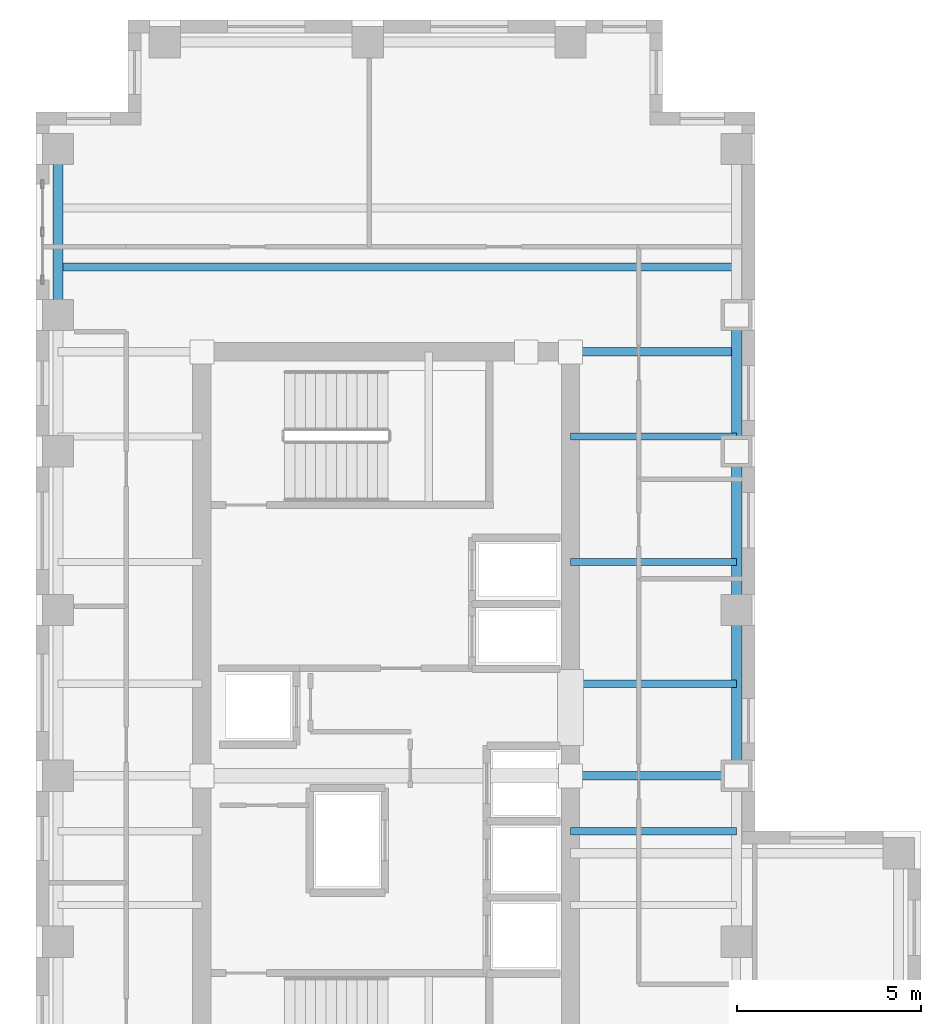
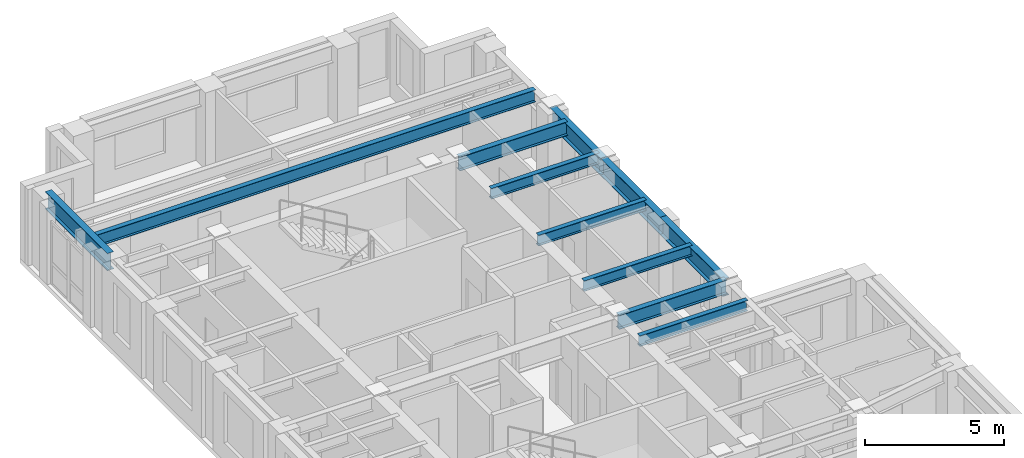
# One storey, part 3 of 10: 11 beams.
"""IFC4 building model written with IfcOpenShell, lengths in metres."""

from ifc_helpers import new_model, si_unit, direction, frame, origin, origin_2d, place, context, subcontext, project, spatial, i_section, extrude, source, transform, mapped, material, material_profile, profile_set, type_object, element, save


model = new_model("IFC4")

# Units and contexts
model_context = context("Model", 3, precision=1e-05, world=origin(), true_north=direction((0.0, 1.0)))
body_context = subcontext(model_context, "Body", "Model", "MODEL_VIEW")
ifc_project = project(units=[si_unit("LENGTHUNIT", "METRE"), si_unit("AREAUNIT", "SQUARE_METRE"), si_unit("VOLUMEUNIT", "CUBIC_METRE"), si_unit("PLANEANGLEUNIT", "RADIAN"), si_unit("MASSUNIT", "GRAM", prefix="KILO")], contexts=[model_context])

# Site, building, storey
site_placement = place(None, origin())
site = spatial("IfcSite", under=ifc_project, at=site_placement, CompositionType="ELEMENT")
building_placement = place(site_placement, origin())
building = spatial("IfcBuilding", under=site, at=building_placement, Name="Kharzan Plaza Tower", CompositionType="ELEMENT")
storey_placement = place(building_placement, frame((0.0, 0.0, 273.60009765625)))
storey = spatial("IfcBuildingStorey", under=building, at=storey_placement, Name="L74", CompositionType="ELEMENT", Elevation=273.60009765625)

# Beams
ifc_material = material(Name="Steel S355", Category="steel")
ifc_material_profile_1 = material_profile(ifc_material, i_section(OverallWidth=0.2099609375, OverallDepth=0.537109375, WebThickness=0.010986328125, FlangeThickness=0.017333984375, at=origin_2d()), Name="W530x101")
ifc_profile_set_1 = profile_set([ifc_material_profile_1], Name="Steel S355")
beam_type_1 = type_object("IfcBeamType", Name="BM-JST530B", PredefinedType="JOIST", material=ifc_profile_set_1)
shared_shape_1 = source(origin(), body_context, "Body", "SweptSolid", [
    extrude(i_section(OverallWidth=0.2099609375, OverallDepth=0.537109375, WebThickness=0.010986328125, FlangeThickness=0.017333984375, at=origin_2d()), origin(), (0.0, 0.0, 1.0), 18.39990234375),
])
beam_1_placement = place(storey_placement, frame((0.60009765625, 31.800048828125, 3.101318359375), z_axis=(1.0, 0.0, 0.0), x_axis=(0.0, 1.0, 0.0)))
element("IfcBeam", 1, at=beam_1_placement, inside=storey, type_object=beam_type_1, Name="L74 Wing A Composite Joist 04", PredefinedType="JOIST", context=body_context, shape_type="MappedRepresentation", body=[
    mapped(shared_shape_1, transform((0.0, 0.0, 0.0), x_axis=(1.0, 0.0, 0.0), y_axis=(0.0, 1.0, 0.0), z_axis=(0.0, 0.0, 1.0))),
])
ifc_material_profile_2 = material_profile(ifc_material, i_section(OverallWidth=0.194091796875, OverallDepth=0.468994140625, WebThickness=0.011474609375, FlangeThickness=0.0205078125, at=origin_2d()), Name="W460x106")
ifc_profile_set_2 = profile_set([ifc_material_profile_2], Name="Steel S355")
beam_type_2 = type_object("IfcBeamType", Name="BM-JST460", PredefinedType="JOIST", material=ifc_profile_set_2)
shared_shape_2 = source(origin(), body_context, "Body", "SweptSolid", [
    extrude(i_section(OverallWidth=0.194091796875, OverallDepth=0.468994140625, WebThickness=0.011474609375, FlangeThickness=0.0205078125, at=origin_2d()), origin(), (0.0, 0.0, 1.0), 4.5),
])
for number, where, z_axis, x_axis, name in (
    (2, (14.5, 16.5, 3.135498046875), (1.0, 0.0, 0.0), (0.0, 1.0, 0.0), "L74 Wing A East Infill Joist 3"),
    (3, (14.5, 20.5, 3.135498046875), (1.0, 0.0, 0.0), (0.0, 1.0, 0.0), "L74 Wing A East Infill Joist 4"),
    (4, (14.5, 23.800048828125, 3.135498046875), (1.0, 0.0, 0.0), (0.0, 1.0, 0.0), "L74 Wing A East Infill Joist 5"),
    (5, (14.5, 27.199951171875, 3.135498046875), (1.0, 0.0, 0.0), (0.0, 1.0, 0.0), "L74 Wing A East Infill Joist 6"),
):
    element("IfcBeam", number, at=place(storey_placement, frame(where, z_axis=z_axis, x_axis=x_axis)), inside=storey, type_object=beam_type_2, Name=name, PredefinedType="JOIST", context=body_context, shape_type="MappedRepresentation", body=[
        mapped(shared_shape_2, transform((0.0, 0.0, 0.0), x_axis=(1.0, 0.0, 0.0), y_axis=(0.0, 1.0, 0.0), z_axis=(0.0, 0.0, 1.0))),
    ])
ifc_material_profile_3 = material_profile(ifc_material, i_section(OverallWidth=0.22900390625, OverallDepth=0.612060546875, WebThickness=0.011962890625, FlangeThickness=0.01953125, at=origin_2d()), Name="W610x125")
ifc_profile_set_3 = profile_set([ifc_material_profile_3], Name="Steel S355")
beam_type_3 = type_object("IfcBeamType", Name="BM-FG610B", PredefinedType="BEAM", material=ifc_profile_set_3)
shared_shape_3 = source(origin(), body_context, "Body", "SweptSolid", [
    extrude(i_section(OverallWidth=0.22900390625, OverallDepth=0.612060546875, WebThickness=0.011962890625, FlangeThickness=0.01953125, at=origin_2d()), origin(), (0.0, 0.0, 1.0), 4.5),
])
for number, where, z_axis, x_axis, name in (
    (6, (14.5, 18.0, 3.06396484375), (1.0, 0.0, 0.0), (0.0, 1.0, 0.0), "L74 Core-A East Floor Girder 2"),
    (7, (14.5, 29.5, 3.06396484375), (1.0, 0.0, 0.0), (0.0, 1.0, 0.0), "L74 Core-A East Floor Girder 3"),
):
    element("IfcBeam", number, at=place(storey_placement, frame(where, z_axis=z_axis, x_axis=x_axis)), inside=storey, type_object=beam_type_3, Name=name, PredefinedType="BEAM", context=body_context, shape_type="MappedRepresentation", body=[
        mapped(shared_shape_3, transform((0.0, 0.0, 0.0), x_axis=(1.0, 0.0, 0.0), y_axis=(0.0, 1.0, 0.0), z_axis=(0.0, 0.0, 1.0))),
    ])
ifc_material_profile_4 = material_profile(ifc_material, i_section(OverallWidth=0.26708984375, OverallDepth=0.76611328125, WebThickness=0.014892578125, FlangeThickness=0.023681640625, at=origin_2d()), Name="W760x185")
ifc_profile_set_4 = profile_set([ifc_material_profile_4], Name="Steel S355")
beam_type_4 = type_object("IfcBeamType", Name="BM-SP760B", PredefinedType="SPANDREL", material=ifc_profile_set_4)
shared_shape_4 = source(origin(), body_context, "Body", "SweptSolid", [
    extrude(i_section(OverallWidth=0.26708984375, OverallDepth=0.76611328125, WebThickness=0.014892578125, FlangeThickness=0.023681640625, at=origin_2d()), origin(), (0.0, 0.0, 1.0), 4.5),
])
for number, where, z_axis, x_axis, name in (
    (8, (0.60009765625, 30.5, 2.98681640625), (0.0, 1.0, 0.0), (-1.0, 0.0, 0.0), "L74 Perimeter Tube Spandrel"),
    (9, (19.0, 18.0, 2.98681640625), (0.0, 1.0, 0.0), (-1.0, 0.0, 0.0), "L74 Perimeter Tube Spandrel"),
):
    element("IfcBeam", number, at=place(storey_placement, frame(where, z_axis=z_axis, x_axis=x_axis)), inside=storey, type_object=beam_type_4, Name=name, PredefinedType="SPANDREL", context=body_context, shape_type="MappedRepresentation", body=[
        mapped(shared_shape_4, transform((0.0, 0.0, 0.0), x_axis=(1.0, 0.0, 0.0), y_axis=(0.0, 1.0, 0.0), z_axis=(0.0, 0.0, 1.0))),
    ])
shared_shape_5 = source(origin(), body_context, "Body", "SweptSolid", [
    extrude(i_section(OverallWidth=0.26708984375, OverallDepth=0.76611328125, WebThickness=0.014892578125, FlangeThickness=0.023681640625, at=origin_2d()), origin(), (0.0, 0.0, 1.0), 4.300048828125),
])
beam_2_placement = place(storey_placement, frame((19.0, 22.5, 2.98681640625), z_axis=(0.0, 1.0, 0.0), x_axis=(-1.0, 0.0, 0.0)))
element("IfcBeam", 10, at=beam_2_placement, inside=storey, type_object=beam_type_4, Name="L74 Perimeter Tube Spandrel", PredefinedType="SPANDREL", context=body_context, shape_type="MappedRepresentation", body=[
    mapped(shared_shape_5, transform((0.0, 0.0, 0.0), x_axis=(1.0, 0.0, 0.0), y_axis=(0.0, 1.0, 0.0), z_axis=(0.0, 0.0, 1.0))),
])
shared_shape_6 = source(origin(), body_context, "Body", "SweptSolid", [
    extrude(i_section(OverallWidth=0.26708984375, OverallDepth=0.76611328125, WebThickness=0.014892578125, FlangeThickness=0.023681640625, at=origin_2d()), origin(), (0.0, 0.0, 1.0), 3.699951171875),
])
beam_3_placement = place(storey_placement, frame((19.0, 26.800048828125, 2.98681640625), z_axis=(0.0, 1.0, 0.0), x_axis=(-1.0, 0.0, 0.0)))
element("IfcBeam", 11, at=beam_3_placement, inside=storey, type_object=beam_type_4, Name="L74 Perimeter Tube Spandrel", PredefinedType="SPANDREL", context=body_context, shape_type="MappedRepresentation", body=[
    mapped(shared_shape_6, transform((0.0, 0.0, 0.0), x_axis=(1.0, 0.0, 0.0), y_axis=(0.0, 1.0, 0.0), z_axis=(0.0, 0.0, 1.0))),
])

save(model, "model.ifc")
